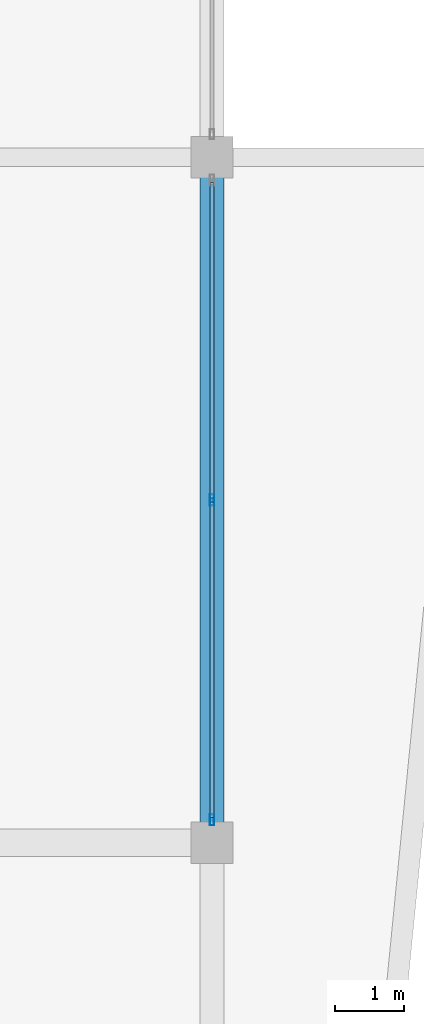
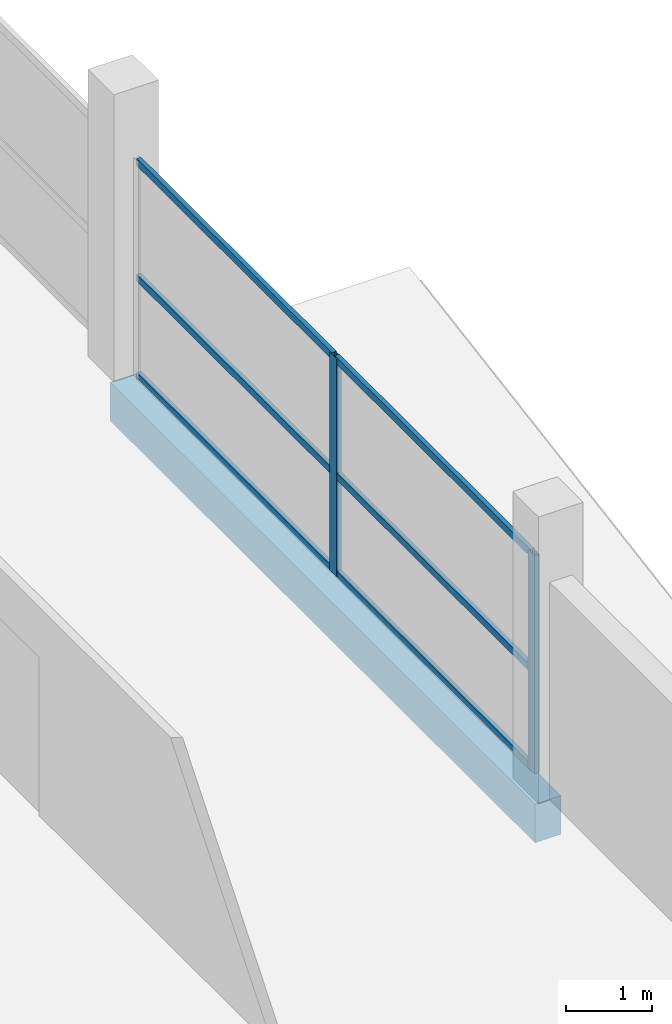
# One storey, part 19 of 66: 8 members, 1 beam, 1 element without a shape of its own.
"""IFC4 building model written with IfcOpenShell, lengths in metres."""

from ifc_helpers import new_model, si_unit, direction, frame, origin, origin_2d, place, context, subcontext, project, spatial, rectangle, hollow_rectangle, extrude, material, layer, layer_set, material_profile, profile_set, type_object, element, aggregate, save


model = new_model("IFC4")

# Units and contexts
model_context = context("Model", 3, precision=1e-05, world=origin(), true_north=direction((0.0, 1.0)))
body_context = subcontext(model_context, "Body", "Model", "MODEL_VIEW")
ifc_project = project(units=[si_unit("LENGTHUNIT", "METRE"), si_unit("AREAUNIT", "SQUARE_METRE"), si_unit("VOLUMEUNIT", "CUBIC_METRE"), si_unit("PLANEANGLEUNIT", "RADIAN"), si_unit("MASSUNIT", "GRAM", prefix="KILO")], contexts=[model_context])

# Site, building, storey
site_placement = place(None, origin())
site = spatial("IfcSite", under=ifc_project, at=site_placement, CompositionType="ELEMENT")
building_placement = place(site_placement, origin())
building = spatial("IfcBuilding", under=site, at=building_placement, Name="Sillaruma Civic Art Gallery", CompositionType="ELEMENT")
storey_placement = place(building_placement, frame((0.0, 0.0, 62.219970703125)))
storey = spatial("IfcBuildingStorey", under=building, at=storey_placement, Name="L12", CompositionType="ELEMENT", Elevation=62.219970703125)

# Beam
ifc_material_1 = material(Name="Concrete H35 (35 MPa)", Category="concrete")
ifc_material_profile_1 = material_profile(ifc_material_1, rectangle(XDim=0.35009765625, YDim=0.550048828125, at=origin_2d()), Name="RCB350x550")
ifc_profile_set_1 = profile_set([ifc_material_profile_1], Name="Concrete H35 (35 MPa)")
beam_type = type_object("IfcBeamType", Name="BM-SPANDREL-RCB350x550", PredefinedType="SPANDREL", material=ifc_profile_set_1)
beam_placement = place(storey_placement, frame((114.39990234375, 39.60009765625, -0.5048828125), z_axis=(0.0, 1.0, 0.0), x_axis=(-1.0, 0.0, 0.0)))
element("IfcBeam", 1, at=beam_placement, inside=storey, type_object=beam_type, Name="Beam BS-04 (L11:N:5-6)", PredefinedType="SPANDREL", context=body_context, shape_type="SweptSolid", body=[
    extrude(rectangle(XDim=0.35009765625, YDim=0.550048828125, at=origin_2d()), origin(), (0.0, 0.0, 1.0), 9.89990234375),
])

# Curtain wall, members
ifc_material_2 = material(Name="Thermally Broken Extruded Aluminium 6063-T6", Category="aluminium")
ifc_layer = layer(ifc_material_2, 0.159912109375, Name="Thermally Broken Extruded Aluminium 6063-T6")
ifc_layer_set = layer_set([ifc_layer], Name="Thermally Broken Extruded Aluminium 6063-T6")
curtain_wall_type = type_object("IfcCurtainWallType", Name="CW-UNI-97", PredefinedType="NOTDEFINED", material=ifc_layer_set)
curtain_wall_placement = place(storey_placement, origin())
curtain_wall = element("IfcCurtainWall", 2, at=curtain_wall_placement, inside=storey, type_object=curtain_wall_type, Name="Unitised Curtain Wall CW-97 (CW-L12-EBE-3)", PredefinedType="NOTDEFINED")
ifc_material_profile_2 = material_profile(ifc_material_2, hollow_rectangle(XDim=0.06494140625, YDim=0.159912109375, WallThickness=0.00390625, at=origin_2d()), Name="CWM65x160")
ifc_profile_set_2 = profile_set([ifc_material_profile_2], Name="Thermally Broken Extruded Aluminium 6063-T6")
member_type_1 = type_object("IfcMemberType", Name="MEM-MUL-CWM65x160", PredefinedType="MULLION", material=ifc_profile_set_2)
member_1_placement = place(storey_placement, frame((114.39990234375, 39.9326171875, 0.0), z_axis=(0.0, 0.0, 1.0), x_axis=(-1.0, 0.0, 0.0)))
member_1 = element("IfcMember", 3, at=member_1_placement, type_object=member_type_1, Name="CW-97 mullion 1", PredefinedType="MULLION", context=body_context, shape_type="SweptSolid", body=[
    extrude(hollow_rectangle(XDim=0.06494140625, YDim=0.159912109375, WallThickness=0.00390625, at=origin_2d()), origin(), (0.0, 0.0, 1.0), 3.10009765625),
])
member_2_placement = place(storey_placement, frame((114.39990234375, 44.550048828125, 0.0), z_axis=(0.0, 0.0, 1.0), x_axis=(-1.0, 0.0, 0.0)))
member_2 = element("IfcMember", 4, at=member_2_placement, type_object=member_type_1, Name="CW-97 mullion 2", PredefinedType="MULLION", context=body_context, shape_type="SweptSolid", body=[
    extrude(hollow_rectangle(XDim=0.06494140625, YDim=0.159912109375, WallThickness=0.00390625, at=origin_2d()), origin(), (0.0, 0.0, 1.0), 3.10009765625),
])
ifc_material_profile_3 = material_profile(ifc_material_2, hollow_rectangle(XDim=0.06005859375, YDim=0.10009765625, WallThickness=0.003173828125, at=origin_2d()), Name="CWT60x100")
ifc_profile_set_3 = profile_set([ifc_material_profile_3], Name="Thermally Broken Extruded Aluminium 6063-T6")
member_type_2 = type_object("IfcMemberType", Name="MEM-TRN-CWT60x100", PredefinedType="USERDEFINED", material=ifc_profile_set_3)
member_3_placement = place(storey_placement, frame((114.39990234375, 39.965087890625, 0.030029296875), z_axis=(0.0, 1.0, 0.0), x_axis=(-1.0, 0.0, 0.0)))
member_3 = element("IfcMember", 5, at=member_3_placement, type_object=member_type_2, Name="CW-97 transom 1.1", ObjectType="TRANSOM", PredefinedType="USERDEFINED", context=body_context, shape_type="SweptSolid", body=[
    extrude(hollow_rectangle(XDim=0.06005859375, YDim=0.10009765625, WallThickness=0.003173828125, at=origin_2d()), origin(), (0.0, 0.0, 1.0), 4.552490234375),
])
member_4_placement = place(storey_placement, frame((114.39990234375, 39.965087890625, 1.426025390625), z_axis=(0.0, 1.0, 0.0), x_axis=(-1.0, 0.0, 0.0)))
member_4 = element("IfcMember", 6, at=member_4_placement, type_object=member_type_2, Name="CW-97 transom 1.2", ObjectType="TRANSOM", PredefinedType="USERDEFINED", context=body_context, shape_type="SweptSolid", body=[
    extrude(hollow_rectangle(XDim=0.06005859375, YDim=0.10009765625, WallThickness=0.003173828125, at=origin_2d()), origin(), (0.0, 0.0, 1.0), 4.552490234375),
])
member_5_placement = place(storey_placement, frame((114.39990234375, 39.965087890625, 3.070068359375), z_axis=(0.0, 1.0, 0.0), x_axis=(-1.0, 0.0, 0.0)))
member_5 = element("IfcMember", 7, at=member_5_placement, type_object=member_type_2, Name="CW-97 transom 1.3", ObjectType="TRANSOM", PredefinedType="USERDEFINED", context=body_context, shape_type="SweptSolid", body=[
    extrude(hollow_rectangle(XDim=0.06005859375, YDim=0.10009765625, WallThickness=0.003173828125, at=origin_2d()), origin(), (0.0, 0.0, 1.0), 4.552490234375),
])
member_6_placement = place(storey_placement, frame((114.39990234375, 44.58251953125, 0.030029296875), z_axis=(0.0, 1.0, 0.0), x_axis=(-1.0, 0.0, 0.0)))
member_6 = element("IfcMember", 8, at=member_6_placement, type_object=member_type_2, Name="CW-97 transom 2.1", ObjectType="TRANSOM", PredefinedType="USERDEFINED", context=body_context, shape_type="SweptSolid", body=[
    extrude(hollow_rectangle(XDim=0.06005859375, YDim=0.10009765625, WallThickness=0.003173828125, at=origin_2d()), origin(), (0.0, 0.0, 1.0), 4.552490234375),
])
member_7_placement = place(storey_placement, frame((114.39990234375, 44.58251953125, 1.426025390625), z_axis=(0.0, 1.0, 0.0), x_axis=(-1.0, 0.0, 0.0)))
member_7 = element("IfcMember", 9, at=member_7_placement, type_object=member_type_2, Name="CW-97 transom 2.2", ObjectType="TRANSOM", PredefinedType="USERDEFINED", context=body_context, shape_type="SweptSolid", body=[
    extrude(hollow_rectangle(XDim=0.06005859375, YDim=0.10009765625, WallThickness=0.003173828125, at=origin_2d()), origin(), (0.0, 0.0, 1.0), 4.552490234375),
])
member_8_placement = place(storey_placement, frame((114.39990234375, 44.58251953125, 3.070068359375), z_axis=(0.0, 1.0, 0.0), x_axis=(-1.0, 0.0, 0.0)))
member_8 = element("IfcMember", 10, at=member_8_placement, type_object=member_type_2, Name="CW-97 transom 2.3", ObjectType="TRANSOM", PredefinedType="USERDEFINED", context=body_context, shape_type="SweptSolid", body=[
    extrude(hollow_rectangle(XDim=0.06005859375, YDim=0.10009765625, WallThickness=0.003173828125, at=origin_2d()), origin(), (0.0, 0.0, 1.0), 4.552490234375),
])
aggregate(curtain_wall, [member_1, member_2, member_3, member_4, member_5, member_6, member_7, member_8])

save(model, "model.ifc")
